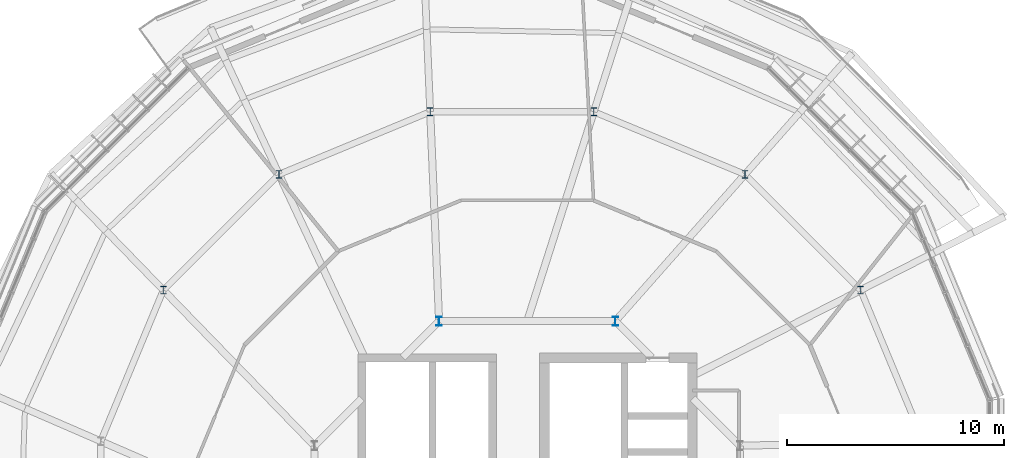
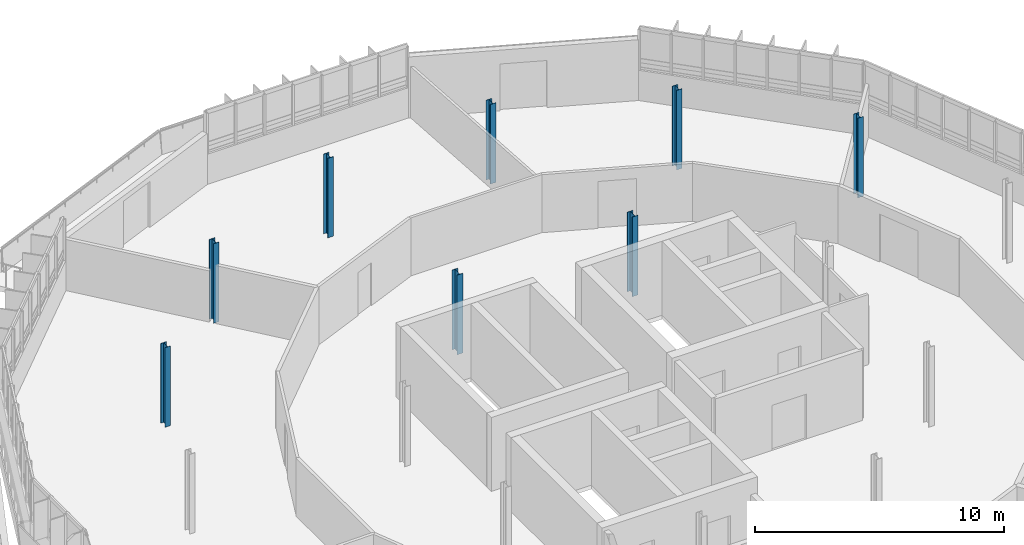
# One storey, part 3 of 31: 8 columns.
"""IFC4 building model written with IfcOpenShell, lengths in metres."""

from ifc_helpers import new_model, si_unit, derived_unit, direction, frame, origin, origin_2d, place, context, subcontext, project, spatial, i_section, extrude, material, material_profile, profile_set, type_object, element, save


model = new_model("IFC4")

# Units and contexts
model_context = context("Model", 3, precision=1e-05, world=origin(), true_north=direction((0.0, 1.0)))
body_context = subcontext(model_context, "Body", "Model", "MODEL_VIEW")
ifc_project = project(units=[si_unit("LENGTHUNIT", "METRE"), si_unit("AREAUNIT", "SQUARE_METRE"), si_unit("VOLUMEUNIT", "CUBIC_METRE"), si_unit("PLANEANGLEUNIT", "RADIAN"), si_unit("MASSUNIT", "GRAM", prefix="KILO"), derived_unit("THERMALTRANSMITTANCEUNIT", [(si_unit("MASSUNIT", "GRAM", prefix="KILO"), 1), (si_unit("TIMEUNIT", "SECOND"), -3), (si_unit("THERMODYNAMICTEMPERATUREUNIT", "KELVIN"), -1)])], contexts=[model_context])

# Site, building, storey
site_placement = place(None, origin())
site = spatial("IfcSite", under=ifc_project, at=site_placement, CompositionType="ELEMENT")
building_placement = place(site_placement, origin())
building = spatial("IfcBuilding", under=site, at=building_placement, Name="Makaiwela Harbour Ferry Terminal", CompositionType="ELEMENT")
storey_placement = place(building_placement, frame((0.0, 0.0, 21.60009765625)))
storey = spatial("IfcBuildingStorey", under=building, at=storey_placement, Name="L05", CompositionType="ELEMENT", Elevation=21.60009765625)

# Columns
ifc_material = material(Name="Steel ASTM A992 Grade 50", Category="steel")
ifc_material_profile_1 = material_profile(ifc_material, i_section(OverallWidth=0.2548828125, OverallDepth=0.35693359375, WebThickness=0.010498046875, FlangeThickness=0.018310546875, at=origin_2d()), Name="W14X68")
ifc_profile_set_1 = profile_set([ifc_material_profile_1], Name="Steel ASTM A992 Grade 50")
column_type_1 = type_object("IfcColumnType", Name="STR-COL-W14X68", PredefinedType="COLUMN", material=ifc_profile_set_1)
for number, where, z_axis, x_axis, name in (
    (1, (53.1474609375, 78.822509765625, 0.0), (0.0, 0.0, 1.0), (1.0, 0.0, 0.0), "Structural Column C-06"),
    (2, (47.822509765625, 84.1474609375, 0.0), (0.0, 0.0, 1.0), (1.0, 0.0, 0.0), "Structural Column C-06"),
    (3, (40.865234375, 87.029296875, 0.0), (0.0, 0.0, 1.0), (1.0, 0.0, 0.0), "Structural Column C-06"),
    (4, (33.334716796875, 87.029296875, 0.0), (0.0, 0.0, 1.0), (1.0, 0.0, 0.0), "Structural Column C-06"),
    (5, (26.37744140625, 84.1474609375, 0.0), (0.0, 0.0, 1.0), (1.0, 0.0, 0.0), "Structural Column C-06"),
    (6, (21.052490234375, 78.822509765625, 0.0), (0.0, 0.0, 1.0), (1.0, 0.0, 0.0), "Structural Column C-06"),
):
    element("IfcColumn", number, at=place(storey_placement, frame(where, z_axis=z_axis, x_axis=x_axis)), inside=storey, type_object=column_type_1, Name=name, PredefinedType="COLUMN", context=body_context, shape_type="SweptSolid", body=[
        extrude(i_section(OverallWidth=0.2548828125, OverallDepth=0.35693359375, WebThickness=0.010498046875, FlangeThickness=0.018310546875, at=origin_2d()), origin(), (0.0, 0.0, 1.0), 3.89990234375),
    ])
ifc_material_profile_2 = material_profile(ifc_material, i_section(OverallWidth=0.260986328125, OverallDepth=0.4189453125, WebThickness=0.01171875, FlangeThickness=0.019287109375, at=origin_2d()), Name="W16X77")
ifc_profile_set_2 = profile_set([ifc_material_profile_2], Name="Steel ASTM A992 Grade 50")
column_type_2 = type_object("IfcColumnType", Name="STR-COL-W16X77", PredefinedType="COLUMN", material=ifc_profile_set_2)
for number, where, z_axis, x_axis, name in (
    (7, (41.8564453125, 77.39306640625, 0.0), (0.0, 0.0, 1.0), (1.0, 0.0, 0.0), "Structural Column C-04"),
    (8, (33.74365234375, 77.39306640625, 0.0), (0.0, 0.0, 1.0), (1.0, 0.0, 0.0), "Structural Column C-04"),
):
    element("IfcColumn", number, at=place(storey_placement, frame(where, z_axis=z_axis, x_axis=x_axis)), inside=storey, type_object=column_type_2, Name=name, PredefinedType="COLUMN", context=body_context, shape_type="SweptSolid", body=[
        extrude(i_section(OverallWidth=0.260986328125, OverallDepth=0.4189453125, WebThickness=0.01171875, FlangeThickness=0.019287109375, at=origin_2d()), origin(), (0.0, 0.0, 1.0), 3.89990234375),
    ])

save(model, "model.ifc")
